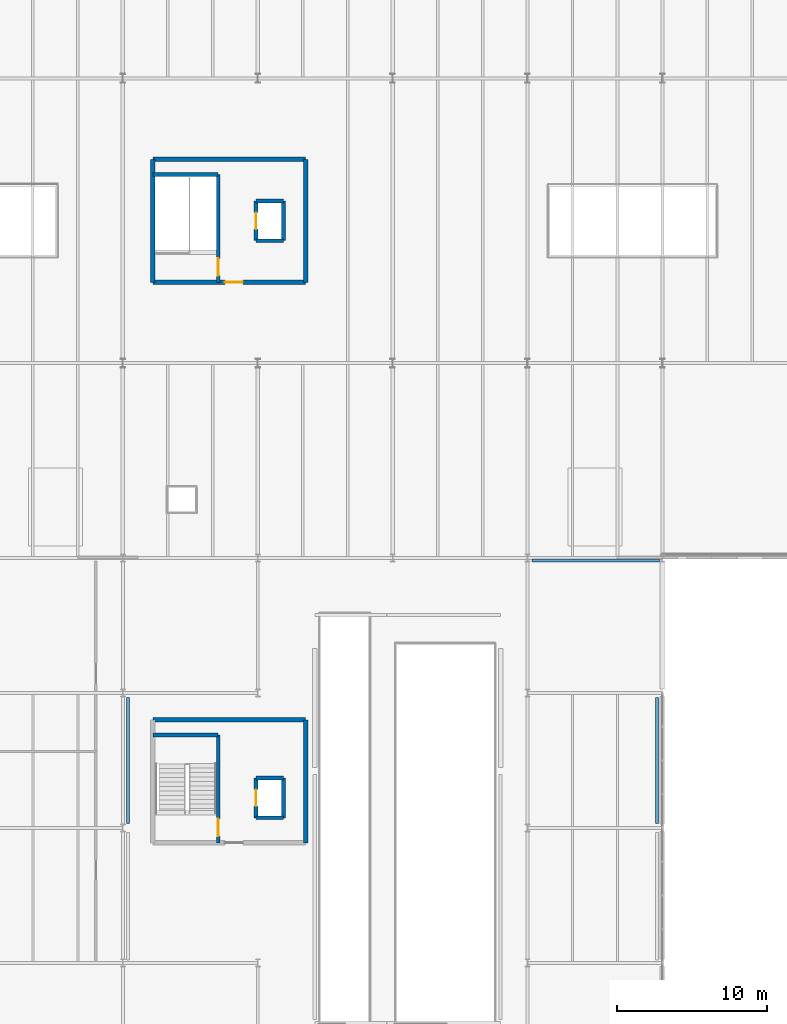
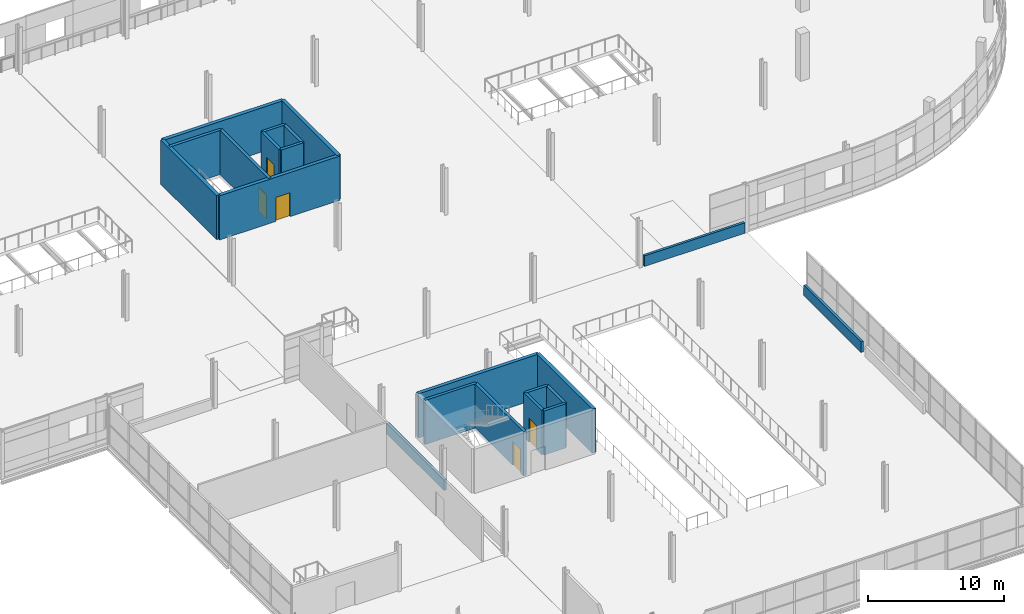
# One storey, part 72 of 88: 21 walls, 5 doors, 5 openings.
"""IFC4 building model written with IfcOpenShell, lengths in metres."""

from ifc_helpers import new_model, si_unit, direction, frame, frame_2d, origin, place, context, subcontext, project, spatial, rectangle, extrude, material, layer, layer_set, type_object, element, fill, save


model = new_model("IFC4")

# Units and contexts
model_context = context("Model", 3, precision=1e-05, world=origin(), true_north=direction((0.0, 1.0)))
body_context = subcontext(model_context, "Body", "Model", "MODEL_VIEW")
ifc_project = project(units=[si_unit("LENGTHUNIT", "METRE"), si_unit("AREAUNIT", "SQUARE_METRE"), si_unit("VOLUMEUNIT", "CUBIC_METRE"), si_unit("PLANEANGLEUNIT", "RADIAN"), si_unit("MASSUNIT", "GRAM", prefix="KILO")], contexts=[model_context])

# Site, building, storey
site_placement = place(None, origin())
site = spatial("IfcSite", under=ifc_project, at=site_placement, CompositionType="ELEMENT")
building_placement = place(site_placement, origin())
building = spatial("IfcBuilding", under=site, at=building_placement, Name="Deido Ridge Mobility Hub", CompositionType="ELEMENT")
storey_placement = place(building_placement, frame((0.0, 0.0, 16.800048828125)))
storey = spatial("IfcBuildingStorey", under=building, at=storey_placement, Name="L04", CompositionType="ELEMENT", Elevation=16.800048828125)

# Walls
ifc_material_1 = material(Name="Concrete C35/45", Category="concrete")
ifc_layer_1 = layer(ifc_material_1, 0.205078125, Name="Concrete C35/45")
ifc_layer_set_1 = layer_set([ifc_layer_1], Name="Concrete C35/45")
wall_type_1 = type_object("IfcWallType", Name="WL-PAR-RC-205", PredefinedType="PARAPET", material=ifc_layer_set_1)
for number, where, z_axis, x_axis, name in (
    (1, (72.35009765625, 63.300048828125, 0.0), (0.0, 0.0, 1.0), (0.0, 1.0, 0.0), "Roof step RC parapet curb PP2"),
    (2, (107.64990234375, 63.300048828125, 0.0), (0.0, 0.0, 1.0), (0.0, 1.0, 0.0), "Roof step RC parapet curb PP2"),
):
    element("IfcWall", number, at=place(storey_placement, frame(where, z_axis=z_axis, x_axis=x_axis)), inside=storey, type_object=wall_type_1, Name=name, PredefinedType="PARAPET", context=body_context, shape_type="SweptSolid", body=[
        extrude(rectangle(XDim=8.39990234375, YDim=0.205078125, at=frame_2d((4.199951171875, 0.0))), origin(), (0.0, 0.0, 1.0), 0.949951171875),
    ])
wall_1_placement = place(storey_placement, frame((99.300048828125, 80.85009765625, 0.0), z_axis=(0.0, 0.0, 1.0), x_axis=(1.0, 0.0, 0.0)))
element("IfcWall", 3, at=wall_1_placement, inside=storey, type_object=wall_type_1, Name="Roof step RC parapet curb PP2", PredefinedType="PARAPET", context=body_context, shape_type="SweptSolid", body=[
    extrude(rectangle(XDim=8.5, YDim=0.205078125, at=frame_2d((4.25, 0.0))), origin(), (0.0, 0.0, 1.0), 0.949951171875),
])

# Wall, opening, door
ifc_material_2 = material(Name="Concrete C40/50", Category="concrete")
ifc_layer_2 = layer(ifc_material_2, 0.25, Name="Concrete C40/50")
ifc_layer_set_2 = layer_set([ifc_layer_2], Name="Concrete C40/50")
wall_type_2 = type_object("IfcWallType", Name="WL-SHR-RC-250", PredefinedType="SHEAR", material=ifc_layer_set_2)
wall_2_placement = place(storey_placement, frame((78.360107421875, 62.0, 0.0), z_axis=(0.0, 0.0, 1.0), x_axis=(0.0, 1.0, 0.0)))
wall_2 = element("IfcWall", 4, at=wall_2_placement, inside=storey, type_object=wall_type_2, Name="C4 stair shaft east wall", PredefinedType="SHEAR", context=body_context, shape_type="SweptSolid", body=[
    extrude(rectangle(XDim=7.199951171875, YDim=0.25, at=frame_2d((3.60009765625, 0.0))), origin(), (0.0, 0.0, 1.0), 3.954833984375),
])
opening_1_placement = place(wall_2_placement, frame((0.449951171875, 0.0, 0.0)))
opening_1 = element("IfcOpeningElement", 5, at=opening_1_placement, cuts=wall_2, Name="Opening FD-C4-L04", PredefinedType="OPENING", context=body_context, shape_type="SweptSolid", body=[
    extrude(rectangle(XDim=1.14990234375, YDim=2.14990234375, at=frame_2d((0.574951171875, 1.074951171875))), frame((0.0, 0.135009765625, 0.0), z_axis=(0.0, -1.0, 0.0), x_axis=(1.0, 0.0, 0.0)), (0.0, 0.0, 1.0), 0.27001953125),
])
ifc_material_3 = material(Name="Galvanised steel work", Category="steel")
door_type_1 = type_object("IfcDoorType", Name="DR-FD60-1150X2150", OperationType="NOTDEFINED", PredefinedType="DOOR", material=ifc_material_3)
door_1_placement = place(opening_1_placement, origin())
door_1 = element("IfcDoor", 6, at=door_1_placement, inside=storey, type_object=door_type_1, Name="DR-I0094 C4 protected stair door (L04)", OperationType="SINGLE_SWING_LEFT", OverallHeight=2.14990234375, OverallWidth=1.14990234375, PredefinedType="DOOR", context=body_context, shape_type="SweptSolid", body=[
    extrude(rectangle(XDim=1.14990234375, YDim=2.14990234375, at=frame_2d((0.574951171875, 1.074951171875))), frame((0.0, 0.02490234375, 0.0), z_axis=(0.0, -1.0, 0.0), x_axis=(1.0, 0.0, 0.0)), (0.0, 0.0, 1.0), 0.050048828125),
])
fill(opening_1, door_1)

# Walls
wall_3_placement = place(storey_placement, frame((74.0, 69.199951171875, 0.0), z_axis=(0.0, 0.0, 1.0), x_axis=(1.0, 0.0, 0.0)))
element("IfcWall", 7, at=wall_3_placement, inside=storey, type_object=wall_type_2, Name="C4 stair shaft north wall", PredefinedType="SHEAR", context=body_context, shape_type="SweptSolid", body=[
    extrude(rectangle(XDim=4.360107421875, YDim=0.25, at=frame_2d((2.18017578125, 0.0))), origin(), (0.0, 0.0, 1.0), 3.954833984375),
])
for number, where, z_axis, x_axis, name in (
    (8, (80.875, 63.675048828125, 0.0), (0.0, 0.0, 1.0), (1.0, 0.0, 0.0), "Lift PL2 south shaft wall"),
    (9, (80.875, 66.324951171875, 0.0), (0.0, 0.0, 1.0), (1.0, 0.0, 0.0), "Lift PL2 north shaft wall"),
):
    element("IfcWall", number, at=place(storey_placement, frame(where, z_axis=z_axis, x_axis=x_axis)), inside=storey, type_object=wall_type_2, Name=name, PredefinedType="SHEAR", context=body_context, shape_type="SweptSolid", body=[
        extrude(rectangle(XDim=1.85009765625, YDim=0.25, at=frame_2d((0.925048828125, 0.0))), origin(), (0.0, 0.0, 1.0), 3.954833984375),
    ])
wall_4_placement = place(storey_placement, frame((82.72509765625, 63.675048828125, 0.0), z_axis=(0.0, 0.0, 1.0), x_axis=(0.0, 1.0, 0.0)))
element("IfcWall", 10, at=wall_4_placement, inside=storey, type_object=wall_type_2, Name="Lift PL2 rear shaft wall", PredefinedType="SHEAR", context=body_context, shape_type="SweptSolid", body=[
    extrude(rectangle(XDim=2.64990234375, YDim=0.25, at=frame_2d((1.324951171875, 0.0))), origin(), (0.0, 0.0, 1.0), 3.954833984375),
])

# Wall, opening, door
wall_5_placement = place(storey_placement, frame((80.875, 63.675048828125, 0.0), z_axis=(0.0, 0.0, 1.0), x_axis=(0.0, 1.0, 0.0)))
wall_5 = element("IfcWall", 11, at=wall_5_placement, inside=storey, type_object=wall_type_2, Name="Lift PL2 landing wall", PredefinedType="SHEAR", context=body_context, shape_type="SweptSolid", body=[
    extrude(rectangle(XDim=2.64990234375, YDim=0.25, at=frame_2d((1.324951171875, 0.0))), origin(), (0.0, 0.0, 1.0), 3.954833984375),
])
opening_2_placement = place(wall_5_placement, frame((0.77490234375, 0.0, 0.0)))
opening_2 = element("IfcOpeningElement", 12, at=opening_2_placement, cuts=wall_5, Name="Opening LD-PL2", PredefinedType="OPENING", context=body_context, shape_type="SweptSolid", body=[
    extrude(rectangle(XDim=1.10009765625, YDim=2.14990234375, at=frame_2d((0.550048828125, 1.074951171875))), frame((0.0, 0.135009765625, 0.0), z_axis=(0.0, -1.0, 0.0), x_axis=(1.0, 0.0, 0.0)), (0.0, 0.0, 1.0), 0.27001953125),
])
ifc_material_4 = material(Name="Stainless steel 316", Category="steel")
door_type_2 = type_object("IfcDoorType", Name="DR-LND-PAS-1100X2150", OperationType="DOUBLE_DOOR_SLIDING", PredefinedType="USERDEFINED", material=ifc_material_4)
door_2_placement = place(opening_2_placement, origin())
door_2 = element("IfcDoor", 13, at=door_2_placement, inside=storey, type_object=door_type_2, Name="DR-I0096 Lift PL2 sliding landing door (L04)", ObjectType="LANDING DOOR", OperationType="DOUBLE_DOOR_SLIDING", OverallHeight=2.14990234375, OverallWidth=1.10009765625, PredefinedType="USERDEFINED", context=body_context, shape_type="SweptSolid", body=[
    extrude(rectangle(XDim=1.10009765625, YDim=2.14990234375, at=frame_2d((0.550048828125, 1.074951171875))), frame((0.0, 0.02490234375, 0.0), z_axis=(0.0, -1.0, 0.0), x_axis=(1.0, 0.0, 0.0)), (0.0, 0.0, 1.0), 0.050048828125),
])
fill(opening_2, door_2)

wall_6_placement = place(storey_placement, frame((78.360107421875, 99.39990234375, 0.0), z_axis=(0.0, 0.0, 1.0), x_axis=(0.0, 1.0, 0.0)))
wall_6 = element("IfcWall", 14, at=wall_6_placement, inside=storey, type_object=wall_type_2, Name="C5 stair shaft east wall", PredefinedType="SHEAR", context=body_context, shape_type="SweptSolid", body=[
    extrude(rectangle(XDim=7.2001953125, YDim=0.25, at=frame_2d((3.60009765625, 0.0))), origin(), (0.0, 0.0, 1.0), 3.954833984375),
])
opening_3_placement = place(wall_6_placement, frame((0.449951171875, 0.0, 0.0)))
opening_3 = element("IfcOpeningElement", 15, at=opening_3_placement, cuts=wall_6, Name="Opening FD-C5-L04", PredefinedType="OPENING", context=body_context, shape_type="SweptSolid", body=[
    extrude(rectangle(XDim=1.14990234375, YDim=2.14990234375, at=frame_2d((0.574951171875, 1.074951171875))), frame((0.0, 0.135009765625, 0.0), z_axis=(0.0, -1.0, 0.0), x_axis=(1.0, 0.0, 0.0)), (0.0, 0.0, 1.0), 0.27001953125),
])
door_3_placement = place(opening_3_placement, origin())
door_3 = element("IfcDoor", 16, at=door_3_placement, inside=storey, type_object=door_type_1, Name="DR-I0115 C5 protected stair door (L04)", OperationType="SINGLE_SWING_LEFT", OverallHeight=2.14990234375, OverallWidth=1.14990234375, PredefinedType="DOOR", context=body_context, shape_type="SweptSolid", body=[
    extrude(rectangle(XDim=1.14990234375, YDim=2.14990234375, at=frame_2d((0.574951171875, 1.074951171875))), frame((0.0, 0.02490234375, 0.0), z_axis=(0.0, -1.0, 0.0), x_axis=(1.0, 0.0, 0.0)), (0.0, 0.0, 1.0), 0.050048828125),
])
fill(opening_3, door_3)

# Walls
wall_7_placement = place(storey_placement, frame((74.0, 106.60009765625, 0.0), z_axis=(0.0, 0.0, 1.0), x_axis=(1.0, 0.0, 0.0)))
element("IfcWall", 17, at=wall_7_placement, inside=storey, type_object=wall_type_2, Name="C5 stair shaft north wall", PredefinedType="SHEAR", context=body_context, shape_type="SweptSolid", body=[
    extrude(rectangle(XDim=4.360107421875, YDim=0.25, at=frame_2d((2.18017578125, 0.0))), origin(), (0.0, 0.0, 1.0), 3.954833984375),
])
for number, where, z_axis, x_axis, name in (
    (18, (80.875, 102.175048828125, 0.0), (0.0, 0.0, 1.0), (1.0, 0.0, 0.0), "Lift PL3 south shaft wall"),
    (19, (80.875, 104.824951171875, 0.0), (0.0, 0.0, 1.0), (1.0, 0.0, 0.0), "Lift PL3 north shaft wall"),
):
    element("IfcWall", number, at=place(storey_placement, frame(where, z_axis=z_axis, x_axis=x_axis)), inside=storey, type_object=wall_type_2, Name=name, PredefinedType="SHEAR", context=body_context, shape_type="SweptSolid", body=[
        extrude(rectangle(XDim=1.85009765625, YDim=0.25, at=frame_2d((0.925048828125, 0.0))), origin(), (0.0, 0.0, 1.0), 3.954833984375),
    ])
wall_8_placement = place(storey_placement, frame((82.72509765625, 102.175048828125, 0.0), z_axis=(0.0, 0.0, 1.0), x_axis=(0.0, 1.0, 0.0)))
element("IfcWall", 20, at=wall_8_placement, inside=storey, type_object=wall_type_2, Name="Lift PL3 rear shaft wall", PredefinedType="SHEAR", context=body_context, shape_type="SweptSolid", body=[
    extrude(rectangle(XDim=2.64990234375, YDim=0.25, at=frame_2d((1.324951171875, 0.0))), origin(), (0.0, 0.0, 1.0), 3.954833984375),
])

# Wall, opening, door
wall_9_placement = place(storey_placement, frame((80.875, 102.175048828125, 0.0), z_axis=(0.0, 0.0, 1.0), x_axis=(0.0, 1.0, 0.0)))
wall_9 = element("IfcWall", 21, at=wall_9_placement, inside=storey, type_object=wall_type_2, Name="Lift PL3 landing wall", PredefinedType="SHEAR", context=body_context, shape_type="SweptSolid", body=[
    extrude(rectangle(XDim=2.64990234375, YDim=0.25, at=frame_2d((1.324951171875, 0.0))), origin(), (0.0, 0.0, 1.0), 3.954833984375),
])
opening_4_placement = place(wall_9_placement, frame((0.77490234375, 0.0, 0.0)))
opening_4 = element("IfcOpeningElement", 22, at=opening_4_placement, cuts=wall_9, Name="Opening LD-PL3", PredefinedType="OPENING", context=body_context, shape_type="SweptSolid", body=[
    extrude(rectangle(XDim=1.10009765625, YDim=2.14990234375, at=frame_2d((0.550048828125, 1.074951171875))), frame((0.0, 0.135009765625, 0.0), z_axis=(0.0, -1.0, 0.0), x_axis=(1.0, 0.0, 0.0)), (0.0, 0.0, 1.0), 0.27001953125),
])
door_4_placement = place(opening_4_placement, origin())
door_4 = element("IfcDoor", 23, at=door_4_placement, inside=storey, type_object=door_type_2, Name="DR-I0117 Lift PL3 sliding landing door (L04)", ObjectType="LANDING DOOR", OperationType="DOUBLE_DOOR_SLIDING", OverallHeight=2.14990234375, OverallWidth=1.10009765625, PredefinedType="USERDEFINED", context=body_context, shape_type="SweptSolid", body=[
    extrude(rectangle(XDim=1.10009765625, YDim=2.14990234375, at=frame_2d((0.550048828125, 1.074951171875))), frame((0.0, 0.02490234375, 0.0), z_axis=(0.0, -1.0, 0.0), x_axis=(1.0, 0.0, 0.0)), (0.0, 0.0, 1.0), 0.050048828125),
])
fill(opening_4, door_4)

# Walls
ifc_layer_3 = layer(ifc_material_2, 0.300048828125, Name="Concrete C40/50")
ifc_layer_set_3 = layer_set([ifc_layer_3], Name="Concrete C40/50")
wall_type_3 = type_object("IfcWallType", Name="WL-SHR-RC-300", PredefinedType="SHEAR", material=ifc_layer_set_3)
wall_10_placement = place(storey_placement, frame((84.199951171875, 62.0, 0.0), z_axis=(0.0, 0.0, 1.0), x_axis=(0.0, 1.0, 0.0)))
element("IfcWall", 24, at=wall_10_placement, inside=storey, type_object=wall_type_3, Name="C4 east shear wall", PredefinedType="SHEAR", context=body_context, shape_type="SweptSolid", body=[
    extrude(rectangle(XDim=8.199951171875, YDim=0.300048828125, at=frame_2d((4.10009765625, 0.0))), origin(), (0.0, 0.0, 1.0), 3.954833984375),
])
wall_11_placement = place(storey_placement, frame((84.199951171875, 70.199951171875, 0.0), z_axis=(0.0, 0.0, 1.0), x_axis=(-1.0, 0.0, 0.0)))
element("IfcWall", 25, at=wall_11_placement, inside=storey, type_object=wall_type_3, Name="C4 north shear wall", PredefinedType="SHEAR", context=body_context, shape_type="SweptSolid", body=[
    extrude(rectangle(XDim=10.199951171875, YDim=0.300048828125, at=frame_2d((5.10009765625, 0.0))), origin(), (0.0, 0.0, 1.0), 3.954833984375),
])

# Wall, opening, door
wall_12_placement = place(storey_placement, frame((74.0, 99.39990234375, 0.0), z_axis=(0.0, 0.0, 1.0), x_axis=(1.0, 0.0, 0.0)))
wall_12 = element("IfcWall", 26, at=wall_12_placement, inside=storey, type_object=wall_type_3, Name="C5 south shear wall", PredefinedType="SHEAR", context=body_context, shape_type="SweptSolid", body=[
    extrude(rectangle(XDim=10.199951171875, YDim=0.300048828125, at=frame_2d((5.10009765625, 0.0))), origin(), (0.0, 0.0, 1.0), 3.954833984375),
])
opening_5_placement = place(wall_12_placement, frame((4.800048828125, 0.0, 0.0)))
opening_5 = element("IfcOpeningElement", 27, at=opening_5_placement, cuts=wall_12, Name="Opening LD-C5-116", PredefinedType="OPENING", context=body_context, shape_type="SweptSolid", body=[
    extrude(rectangle(XDim=1.199951171875, YDim=2.14990234375, at=frame_2d((0.60009765625, 1.074951171875))), frame((0.0, 0.16015625, 0.0), z_axis=(0.0, -1.0, 0.0), x_axis=(1.0, 0.0, 0.0)), (0.0, 0.0, 1.0), 0.320068359375),
])
door_type_3 = type_object("IfcDoorType", Name="DR-FD60-1200X2150", OperationType="NOTDEFINED", PredefinedType="DOOR", material=ifc_material_3)
door_5_placement = place(opening_5_placement, origin())
door_5 = element("IfcDoor", 28, at=door_5_placement, inside=storey, type_object=door_type_3, Name="DR-I0116 C5 lift lobby door (L04)", OperationType="SINGLE_SWING_RIGHT", OverallHeight=2.14990234375, OverallWidth=1.199951171875, PredefinedType="DOOR", context=body_context, shape_type="SweptSolid", body=[
    extrude(rectangle(XDim=1.199951171875, YDim=2.14990234375, at=frame_2d((0.60009765625, 1.074951171875))), frame((0.0, 0.02490234375, 0.0), z_axis=(0.0, -1.0, 0.0), x_axis=(1.0, 0.0, 0.0)), (0.0, 0.0, 1.0), 0.050048828125),
])
fill(opening_5, door_5)

# Walls
wall_13_placement = place(storey_placement, frame((84.199951171875, 99.39990234375, 0.0), z_axis=(0.0, 0.0, 1.0), x_axis=(0.0, 1.0, 0.0)))
element("IfcWall", 29, at=wall_13_placement, inside=storey, type_object=wall_type_3, Name="C5 east shear wall", PredefinedType="SHEAR", context=body_context, shape_type="SweptSolid", body=[
    extrude(rectangle(XDim=8.2001953125, YDim=0.300048828125, at=frame_2d((4.10009765625, 0.0))), origin(), (0.0, 0.0, 1.0), 3.954833984375),
])
wall_14_placement = place(storey_placement, frame((84.199951171875, 107.60009765625, 0.0), z_axis=(0.0, 0.0, 1.0), x_axis=(-1.0, 0.0, 0.0)))
element("IfcWall", 30, at=wall_14_placement, inside=storey, type_object=wall_type_3, Name="C5 north shear wall", PredefinedType="SHEAR", context=body_context, shape_type="SweptSolid", body=[
    extrude(rectangle(XDim=10.199951171875, YDim=0.300048828125, at=frame_2d((5.10009765625, 0.0))), origin(), (0.0, 0.0, 1.0), 3.954833984375),
])
wall_15_placement = place(storey_placement, frame((74.0, 107.60009765625, 0.0), z_axis=(0.0, 0.0, 1.0), x_axis=(0.0, -1.0, 0.0)))
element("IfcWall", 31, at=wall_15_placement, inside=storey, type_object=wall_type_3, Name="C5 west shear wall", PredefinedType="SHEAR", context=body_context, shape_type="SweptSolid", body=[
    extrude(rectangle(XDim=8.2001953125, YDim=0.300048828125, at=frame_2d((4.10009765625, 0.0))), origin(), (0.0, 0.0, 1.0), 3.954833984375),
])

save(model, "model.ifc")
